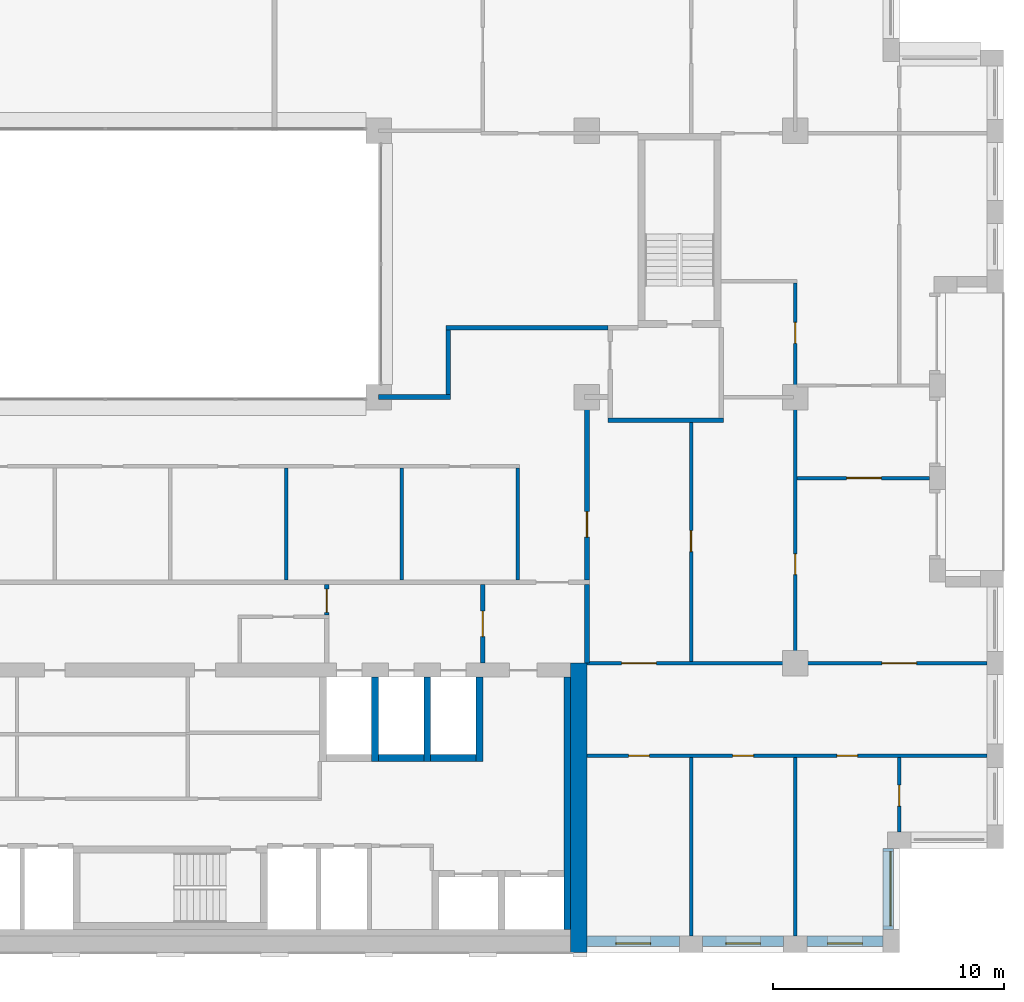
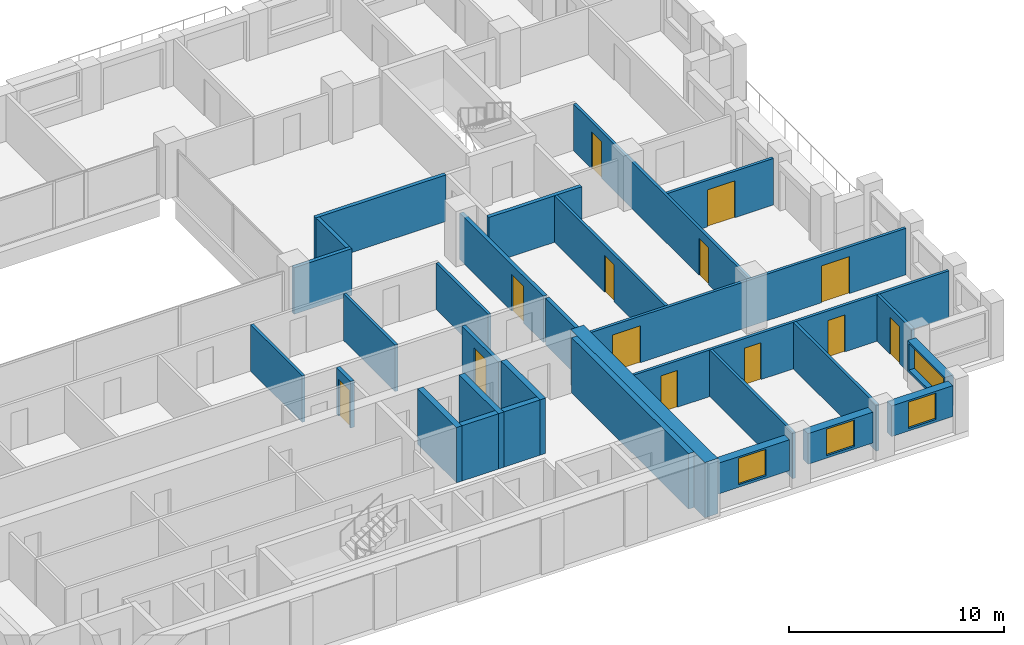
# One storey, part 11 of 16: 30 walls, 13 doors, 4 windows, 17 openings.
"""IFC4 building model written with IfcOpenShell, lengths in metres."""

from ifc_helpers import new_model, si_unit, direction, frame, frame_2d, origin, place, context, subcontext, project, spatial, rectangle, extrude, material, layer, layer_set, type_object, element, fill, save


model = new_model("IFC4")

# Units and contexts
model_context = context("Model", 3, precision=1e-05, world=origin(), true_north=direction((0.0, 1.0)))
body_context = subcontext(model_context, "Body", "Model", "MODEL_VIEW")
ifc_project = project(units=[si_unit("LENGTHUNIT", "METRE"), si_unit("AREAUNIT", "SQUARE_METRE"), si_unit("VOLUMEUNIT", "CUBIC_METRE"), si_unit("PLANEANGLEUNIT", "RADIAN"), si_unit("MASSUNIT", "GRAM", prefix="KILO")], contexts=[model_context])

# Site, building, storey
site_placement = place(None, origin())
site = spatial("IfcSite", under=ifc_project, at=site_placement, CompositionType="ELEMENT")
building_placement = place(site_placement, origin())
building = spatial("IfcBuilding", under=site, at=building_placement, Name="Brigalow Station Residences", CompositionType="ELEMENT")
storey_placement = place(building_placement, frame((0.0, 0.0, 182.25)))
storey = spatial("IfcBuildingStorey", under=building, at=storey_placement, Name="L53", CompositionType="ELEMENT", Elevation=182.25)

# Wall, opening, window
ifc_material_1 = material(Name="Clay brick masonry", Category="masonry")
ifc_layer_1 = layer(ifc_material_1, 0.449951171875)
ifc_layer_set_1 = layer_set([ifc_layer_1], Name="BRICK INFILL WALL 450")
wall_type_1 = type_object("IfcWallType", Name="BRICK INFILL WALL 450", PredefinedType="SOLIDWALL", material=ifc_layer_set_1)
wall_1_placement = place(storey_placement, frame((54.0, 0.47509765625, 0.89990234375), z_axis=(0.0, 0.0, 1.0), x_axis=(1.0, 0.0, 0.0)))
wall_1 = element("IfcWall", 1, at=wall_1_placement, inside=storey, type_object=wall_type_1, Name="L53/ewall/W-L53-4", PredefinedType="SOLIDWALL", context=body_context, shape_type="SweptSolid", body=[
    extrude(rectangle(XDim=4.0, YDim=0.449951171875, at=frame_2d((2.0, 0.0))), origin(), (0.0, 0.0, 1.0), 1.75),
])
opening_1_placement = place(wall_1_placement, frame((1.25, 0.0, 0.14990234375)))
opening_1 = element("IfcOpeningElement", 2, at=opening_1_placement, cuts=wall_1, Name="Opening WT-1", PredefinedType="OPENING", context=body_context, shape_type="SweptSolid", body=[
    extrude(rectangle(XDim=1.5, YDim=1.5, at=frame_2d((0.75, 0.75))), frame((0.0, 0.23486328125, 0.0), z_axis=(0.0, -1.0, 0.0), x_axis=(1.0, 0.0, 0.0)), (0.0, 0.0, 1.0), 0.469970703125),
])
ifc_material_2 = material(Name="Anodised aluminium frame with double glazing", Category="aluminium")
window_type_1 = type_object("IfcWindowType", Name="WINDOW 1500x1500", PartitioningType="SINGLE_PANEL", PredefinedType="WINDOW", material=ifc_material_2)
window_1_placement = place(opening_1_placement, origin())
window_1 = element("IfcWindow", 3, at=window_1_placement, inside=storey, type_object=window_type_1, Name="L53/window/W-L53-4", OverallHeight=1.5, OverallWidth=1.5, PartitioningType="SINGLE_PANEL", PredefinedType="WINDOW", context=body_context, shape_type="SweptSolid", body=[
    extrude(rectangle(XDim=1.5, YDim=1.5, at=frame_2d((0.75, 0.75))), frame((0.0, -0.06494140625, 0.0), z_axis=(0.0, -1.0, 0.0), x_axis=(1.0, 0.0, 0.0)), (0.0, 0.0, 1.0), 0.06005859375),
])
fill(opening_1, window_1)

wall_2_placement = place(storey_placement, frame((59.0, 0.47509765625, 0.89990234375), z_axis=(0.0, 0.0, 1.0), x_axis=(1.0, 0.0, 0.0)))
wall_2 = element("IfcWall", 4, at=wall_2_placement, inside=storey, type_object=wall_type_1, Name="L53/ewall/W-L53-5", PredefinedType="SOLIDWALL", context=body_context, shape_type="SweptSolid", body=[
    extrude(rectangle(XDim=3.5, YDim=0.449951171875, at=frame_2d((1.75, 0.0))), origin(), (0.0, 0.0, 1.0), 1.75),
])
opening_2_placement = place(wall_2_placement, frame((1.0, 0.0, 0.14990234375)))
opening_2 = element("IfcOpeningElement", 5, at=opening_2_placement, cuts=wall_2, Name="Opening WT-1", PredefinedType="OPENING", context=body_context, shape_type="SweptSolid", body=[
    extrude(rectangle(XDim=1.5, YDim=1.5, at=frame_2d((0.75, 0.75))), frame((0.0, 0.23486328125, 0.0), z_axis=(0.0, -1.0, 0.0), x_axis=(1.0, 0.0, 0.0)), (0.0, 0.0, 1.0), 0.469970703125),
])
window_2_placement = place(opening_2_placement, origin())
window_2 = element("IfcWindow", 6, at=window_2_placement, inside=storey, type_object=window_type_1, Name="L53/window/W-L53-5", OverallHeight=1.5, OverallWidth=1.5, PartitioningType="SINGLE_PANEL", PredefinedType="WINDOW", context=body_context, shape_type="SweptSolid", body=[
    extrude(rectangle(XDim=1.5, YDim=1.5, at=frame_2d((0.75, 0.75))), frame((0.0, -0.06494140625, 0.0), z_axis=(0.0, -1.0, 0.0), x_axis=(1.0, 0.0, 0.0)), (0.0, 0.0, 1.0), 0.06005859375),
])
fill(opening_2, window_2)

wall_3_placement = place(storey_placement, frame((63.5, 0.47509765625, 0.89990234375), z_axis=(0.0, 0.0, 1.0), x_axis=(1.0, 0.0, 0.0)))
wall_3 = element("IfcWall", 7, at=wall_3_placement, inside=storey, type_object=wall_type_1, Name="L53/ewall/W-L53-6", PredefinedType="SOLIDWALL", context=body_context, shape_type="SweptSolid", body=[
    extrude(rectangle(XDim=3.300048828125, YDim=0.449951171875, at=frame_2d((1.64990234375, 0.0))), origin(), (0.0, 0.0, 1.0), 1.75),
])
opening_3_placement = place(wall_3_placement, frame((0.89990234375, 0.0, 0.14990234375)))
opening_3 = element("IfcOpeningElement", 8, at=opening_3_placement, cuts=wall_3, Name="Opening WT-1", PredefinedType="OPENING", context=body_context, shape_type="SweptSolid", body=[
    extrude(rectangle(XDim=1.5, YDim=1.5, at=frame_2d((0.75, 0.75))), frame((0.0, 0.23486328125, 0.0), z_axis=(0.0, -1.0, 0.0), x_axis=(1.0, 0.0, 0.0)), (0.0, 0.0, 1.0), 0.469970703125),
])
window_3_placement = place(opening_3_placement, origin())
window_3 = element("IfcWindow", 9, at=window_3_placement, inside=storey, type_object=window_type_1, Name="L53/window/W-L53-6", OverallHeight=1.5, OverallWidth=1.5, PartitioningType="SINGLE_PANEL", PredefinedType="WINDOW", context=body_context, shape_type="SweptSolid", body=[
    extrude(rectangle(XDim=1.5, YDim=1.5, at=frame_2d((0.75, 0.75))), frame((0.0, -0.06494140625, 0.0), z_axis=(0.0, -1.0, 0.0), x_axis=(1.0, 0.0, 0.0)), (0.0, 0.0, 1.0), 0.06005859375),
])
fill(opening_3, window_3)

wall_4_placement = place(storey_placement, frame((67.02490234375, 1.0, 0.89990234375), z_axis=(0.0, 0.0, 1.0), x_axis=(0.0, 1.0, 0.0)))
wall_4 = element("IfcWall", 10, at=wall_4_placement, inside=storey, type_object=wall_type_1, Name="L53/ewall/W-L53-7", PredefinedType="SOLIDWALL", context=body_context, shape_type="SweptSolid", body=[
    extrude(rectangle(XDim=3.5, YDim=0.449951171875, at=frame_2d((1.75, 0.0))), origin(), (0.0, 0.0, 1.0), 1.75),
])
opening_4_placement = place(wall_4_placement, frame((0.14990234375, 0.0, 0.14990234375)))
opening_4 = element("IfcOpeningElement", 11, at=opening_4_placement, cuts=wall_4, Name="Opening WT-9", PredefinedType="OPENING", context=body_context, shape_type="SweptSolid", body=[
    extrude(rectangle(XDim=3.199951171875, YDim=1.5, at=frame_2d((1.60009765625, 0.75))), frame((0.0, 0.23486328125, 0.0), z_axis=(0.0, -1.0, 0.0), x_axis=(1.0, 0.0, 0.0)), (0.0, 0.0, 1.0), 0.469970703125),
])
ifc_material_3 = material(Name="Anodised aluminium frame with double glazing", Category="aluminium")
window_type_2 = type_object("IfcWindowType", Name="WINDOW 3200x1500", PartitioningType="SINGLE_PANEL", PredefinedType="WINDOW", material=ifc_material_3)
window_4_placement = place(opening_4_placement, origin())
window_4 = element("IfcWindow", 12, at=window_4_placement, inside=storey, type_object=window_type_2, Name="L53/window/W-L53-7", OverallHeight=1.5, OverallWidth=3.199951171875, PartitioningType="SINGLE_PANEL", PredefinedType="WINDOW", context=body_context, shape_type="SweptSolid", body=[
    extrude(rectangle(XDim=3.199951171875, YDim=1.5, at=frame_2d((1.60009765625, 0.75))), frame((0.0, -0.06494140625, 0.0), z_axis=(0.0, -1.0, 0.0), x_axis=(1.0, 0.0, 0.0)), (0.0, 0.0, 1.0), 0.06005859375),
])
fill(opening_4, window_4)

# Walls
ifc_material_4 = material(Name="Concrete C65", Category="concrete")
ifc_layer_2 = layer(ifc_material_4, 0.300048828125)
ifc_layer_set_2 = layer_set([ifc_layer_2], Name="CORE SHEAR WALL 300 C65")
wall_type_2 = type_object("IfcWallType", Name="CORE SHEAR WALL 300 C65", PredefinedType="SHEAR", material=ifc_layer_set_2)
wall_5_placement = place(storey_placement, frame((53.14990234375, 1.0, 0.0), z_axis=(0.0, 0.0, 1.0), x_axis=(0.0, 1.0, 0.0)))
element("IfcWall", 13, at=wall_5_placement, inside=storey, type_object=wall_type_2, Name="CORE WALL LIN-E L53", PredefinedType="SHEAR", context=body_context, shape_type="SweptSolid", body=[
    extrude(rectangle(XDim=10.89990234375, YDim=0.300048828125, at=frame_2d((5.449951171875, 0.0))), origin(), (0.0, 0.0, 1.0), 3.14990234375),
])
wall_6_placement = place(storey_placement, frame((45.0, 8.39990234375, 0.0), z_axis=(0.0, 0.0, 1.0), x_axis=(1.0, 0.0, 0.0)))
element("IfcWall", 14, at=wall_6_placement, inside=storey, type_object=wall_type_2, Name="CORE WALL SH-FF2-S L53", PredefinedType="SHEAR", context=body_context, shape_type="SweptSolid", body=[
    extrude(rectangle(XDim=1.949951171875, YDim=0.300048828125, at=frame_2d((0.97509765625, 0.0))), origin(), (0.0, 0.0, 1.0), 3.14990234375),
])
wall_7_placement = place(storey_placement, frame((44.85009765625, 8.25, 0.0), z_axis=(0.0, 0.0, 1.0), x_axis=(0.0, 1.0, 0.0)))
element("IfcWall", 15, at=wall_7_placement, inside=storey, type_object=wall_type_2, Name="CORE WALL SH-FF2-W L53", PredefinedType="SHEAR", context=body_context, shape_type="SweptSolid", body=[
    extrude(rectangle(XDim=3.64990234375, YDim=0.300048828125, at=frame_2d((1.824951171875, 0.0))), origin(), (0.0, 0.0, 1.0), 3.14990234375),
])
wall_8_placement = place(storey_placement, frame((47.25, 8.39990234375, 0.0), z_axis=(0.0, 0.0, 1.0), x_axis=(1.0, 0.0, 0.0)))
element("IfcWall", 16, at=wall_8_placement, inside=storey, type_object=wall_type_2, Name="CORE WALL SH-SL1-S L53", PredefinedType="SHEAR", context=body_context, shape_type="SweptSolid", body=[
    extrude(rectangle(XDim=1.949951171875, YDim=0.300048828125, at=frame_2d((0.97509765625, 0.0))), origin(), (0.0, 0.0, 1.0), 3.14990234375),
])
for number, where, z_axis, x_axis, name in (
    (17, (47.10009765625, 8.25, 0.0), (0.0, 0.0, 1.0), (0.0, 1.0, 0.0), "CORE WALL SH-SL1-W L53"),
    (18, (49.35009765625, 8.25, 0.0), (0.0, 0.0, 1.0), (0.0, 1.0, 0.0), "CORE WALL SH-SL1-E L53"),
):
    element("IfcWall", number, at=place(storey_placement, frame(where, z_axis=z_axis, x_axis=x_axis)), inside=storey, type_object=wall_type_2, Name=name, PredefinedType="SHEAR", context=body_context, shape_type="SweptSolid", body=[
        extrude(rectangle(XDim=3.64990234375, YDim=0.300048828125, at=frame_2d((1.824951171875, 0.0))), origin(), (0.0, 0.0, 1.0), 3.14990234375),
    ])
ifc_material_5 = material(Name="Concrete C65", Category="concrete")
ifc_layer_3 = layer(ifc_material_5, 0.699951171875)
ifc_layer_set_3 = layer_set([ifc_layer_3], Name="CORE SHEAR WALL 700 C65")
wall_type_3 = type_object("IfcWallType", Name="CORE SHEAR WALL 700 C65", PredefinedType="SHEAR", material=ifc_layer_set_3)
wall_9_placement = place(storey_placement, frame((53.64990234375, 0.0, 0.0), z_axis=(0.0, 0.0, 1.0), x_axis=(0.0, 1.0, 0.0)))
element("IfcWall", 19, at=wall_9_placement, inside=storey, type_object=wall_type_3, Name="CORE WALL OUT-E L53", PredefinedType="SHEAR", context=body_context, shape_type="SweptSolid", body=[
    extrude(rectangle(XDim=12.5, YDim=0.699951171875, at=frame_2d((6.25, 0.0))), origin(), (0.0, 0.0, 1.0), 3.14990234375),
])
ifc_material_6 = material(Name="Concrete blockwork", Category="masonry")
ifc_layer_4 = layer(ifc_material_6, 0.199951171875)
ifc_layer_set_4 = layer_set([ifc_layer_4], Name="FIRE RATED CORE PARTITION 200")
wall_type_4 = type_object("IfcWallType", Name="FIRE RATED CORE PARTITION 200", PredefinedType="PARTITIONING", material=ifc_layer_set_4)
wall_10_placement = place(storey_placement, frame((54.89990234375, 23.0, 0.0), z_axis=(0.0, 0.0, 1.0), x_axis=(1.0, 0.0, 0.0)))
element("IfcWall", 20, at=wall_10_placement, inside=storey, type_object=wall_type_4, Name="PW-5024", PredefinedType="PARTITIONING", context=body_context, shape_type="SweptSolid", body=[
    extrude(rectangle(XDim=5.0, YDim=0.199951171875, at=frame_2d((2.5, 0.0))), origin(), (0.0, 0.0, 1.0), 2.64990234375),
])

# Wall, opening, door
wall_11_placement = place(storey_placement, frame((49.5, 12.5, 0.0), z_axis=(0.0, 0.0, 1.0), x_axis=(0.0, 1.0, 0.0)))
wall_11 = element("IfcWall", 21, at=wall_11_placement, inside=storey, type_object=wall_type_4, Name="PW-5015", PredefinedType="PARTITIONING", context=body_context, shape_type="SweptSolid", body=[
    extrude(rectangle(XDim=3.39990234375, YDim=0.199951171875, at=frame_2d((1.699951171875, 0.0))), origin(), (0.0, 0.0, 1.0), 2.64990234375),
])
opening_5_placement = place(wall_11_placement, frame((1.14990234375, 0.0, 0.0)))
opening_5 = element("IfcOpeningElement", 22, at=opening_5_placement, cuts=wall_11, Name="Opening D-5014", PredefinedType="OPENING", context=body_context, shape_type="SweptSolid", body=[
    extrude(rectangle(XDim=1.10009765625, YDim=2.10009765625, at=frame_2d((0.550048828125, 1.050048828125))), frame((0.0, 0.10986328125, 0.0), z_axis=(0.0, -1.0, 0.0), x_axis=(1.0, 0.0, 0.0)), (0.0, 0.0, 1.0), 0.219970703125),
])
ifc_material_7 = material(Name="Steel fire door leaf in steel frame", Category="steel")
door_type_1 = type_object("IfcDoorType", Name="LOBBY DOOR 1100 x 2100 FD60S", OperationType="SINGLE_SWING_LEFT", PredefinedType="DOOR", material=ifc_material_7)
door_1_placement = place(opening_5_placement, origin())
door_1 = element("IfcDoor", 23, at=door_1_placement, inside=storey, type_object=door_type_1, Name="D-5014", OperationType="SINGLE_SWING_LEFT", OverallHeight=2.10009765625, OverallWidth=1.10009765625, PredefinedType="DOOR", context=body_context, shape_type="SweptSolid", body=[
    extrude(rectangle(XDim=1.10009765625, YDim=2.10009765625, at=frame_2d((0.550048828125, 1.050048828125))), frame((0.0, 0.02490234375, 0.0), z_axis=(0.0, -1.0, 0.0), x_axis=(1.0, 0.0, 0.0)), (0.0, 0.0, 1.0), 0.050048828125),
])
fill(opening_5, door_1)

# Wall
wall_12_placement = place(storey_placement, frame((54.0, 12.5, 0.0), z_axis=(0.0, 0.0, 1.0), x_axis=(0.0, 1.0, 0.0)))
element("IfcWall", 24, at=wall_12_placement, inside=storey, type_object=wall_type_4, Name="PW-5016", PredefinedType="PARTITIONING", context=body_context, shape_type="SweptSolid", body=[
    extrude(rectangle(XDim=3.39990234375, YDim=0.199951171875, at=frame_2d((1.699951171875, 0.0))), origin(), (0.0, 0.0, 1.0), 2.64990234375),
])

# Wall, opening, door
wall_13_placement = place(storey_placement, frame((42.75, 14.574951171875, 0.0), z_axis=(0.0, 0.0, 1.0), x_axis=(0.0, 1.0, 0.0)))
wall_13 = element("IfcWall", 25, at=wall_13_placement, inside=storey, type_object=wall_type_4, Name="PW-5047", PredefinedType="PARTITIONING", context=body_context, shape_type="SweptSolid", body=[
    extrude(rectangle(XDim=1.324951171875, YDim=0.199951171875, at=frame_2d((0.66259765625, 0.0))), origin(), (0.0, 0.0, 1.0), 2.64990234375),
])
opening_6_placement = place(wall_13_placement, frame((0.125, 0.0, 0.0)))
opening_6 = element("IfcOpeningElement", 26, at=opening_6_placement, cuts=wall_13, Name="Opening D-5013", PredefinedType="OPENING", context=body_context, shape_type="SweptSolid", body=[
    extrude(rectangle(XDim=1.0, YDim=2.10009765625, at=frame_2d((0.5, 1.050048828125))), frame((0.0, 0.10986328125, 0.0), z_axis=(0.0, -1.0, 0.0), x_axis=(1.0, 0.0, 0.0)), (0.0, 0.0, 1.0), 0.219970703125),
])
ifc_material_8 = material(Name="Steel fire door leaf in steel frame", Category="steel")
door_type_2 = type_object("IfcDoorType", Name="LOBBY DOOR 1000 x 2100 FD60S", OperationType="SINGLE_SWING_LEFT", PredefinedType="DOOR", material=ifc_material_8)
door_2_placement = place(opening_6_placement, origin())
door_2 = element("IfcDoor", 27, at=door_2_placement, inside=storey, type_object=door_type_2, Name="D-5013", OperationType="SINGLE_SWING_LEFT", OverallHeight=2.10009765625, OverallWidth=1.0, PredefinedType="DOOR", context=body_context, shape_type="SweptSolid", body=[
    extrude(rectangle(XDim=1.0, YDim=2.10009765625, at=frame_2d((0.5, 1.050048828125))), frame((0.0, 0.02490234375, 0.0), z_axis=(0.0, -1.0, 0.0), x_axis=(1.0, 0.0, 0.0)), (0.0, 0.0, 1.0), 0.050048828125),
])
fill(opening_6, door_2)

# Wall, openings, doors
ifc_material_9 = material(Name="Plasterboard on steel stud partition", Category="steel")
ifc_layer_5 = layer(ifc_material_9, 0.14990234375)
ifc_layer_set_5 = layer_set([ifc_layer_5], Name="FLAT PARTITION 150")
wall_type_5 = type_object("IfcWallType", Name="FLAT PARTITION 150", PredefinedType="PARTITIONING", material=ifc_layer_set_5)
wall_14_placement = place(storey_placement, frame((54.0, 8.5, 0.0), z_axis=(0.0, 0.0, 1.0), x_axis=(1.0, 0.0, 0.0)))
wall_14 = element("IfcWall", 28, at=wall_14_placement, inside=storey, type_object=wall_type_5, Name="PW-3F21", PredefinedType="PARTITIONING", context=body_context, shape_type="SweptSolid", body=[
    extrude(rectangle(XDim=17.300048828125, YDim=0.14990234375, at=frame_2d((8.64990234375, 0.0))), origin(), (0.0, 0.0, 1.0), 2.64990234375),
])
opening_7_placement = place(wall_14_placement, frame((1.800048828125, 0.0, 0.0)))
opening_7 = element("IfcOpeningElement", 29, at=opening_7_placement, cuts=wall_14, Name="Opening D-3F20", PredefinedType="OPENING", context=body_context, shape_type="SweptSolid", body=[
    extrude(rectangle(XDim=0.89990234375, YDim=2.10009765625, at=frame_2d((0.449951171875, 1.050048828125))), frame((0.0, 0.0849609375, 0.0), z_axis=(0.0, -1.0, 0.0), x_axis=(1.0, 0.0, 0.0)), (0.0, 0.0, 1.0), 0.169921875),
])
opening_8_placement = place(wall_14_placement, frame((6.300048828125, 0.0, 0.0)))
opening_8 = element("IfcOpeningElement", 30, at=opening_8_placement, cuts=wall_14, Name="Opening D-3F21", PredefinedType="OPENING", context=body_context, shape_type="SweptSolid", body=[
    extrude(rectangle(XDim=0.89990234375, YDim=2.10009765625, at=frame_2d((0.449951171875, 1.050048828125))), frame((0.0, 0.0849609375, 0.0), z_axis=(0.0, -1.0, 0.0), x_axis=(1.0, 0.0, 0.0)), (0.0, 0.0, 1.0), 0.169921875),
])
opening_9_placement = place(wall_14_placement, frame((10.800048828125, 0.0, 0.0)))
opening_9 = element("IfcOpeningElement", 31, at=opening_9_placement, cuts=wall_14, Name="Opening D-3F22", PredefinedType="OPENING", context=body_context, shape_type="SweptSolid", body=[
    extrude(rectangle(XDim=0.89990234375, YDim=2.10009765625, at=frame_2d((0.449951171875, 1.050048828125))), frame((0.0, 0.0849609375, 0.0), z_axis=(0.0, -1.0, 0.0), x_axis=(1.0, 0.0, 0.0)), (0.0, 0.0, 1.0), 0.169921875),
])
ifc_material_10 = material(Name="Solid-core timber door leaf", Category="wood")
door_type_3 = type_object("IfcDoorType", Name="INTERNAL DOOR 900 x 2100", OperationType="SINGLE_SWING_LEFT", PredefinedType="DOOR", material=ifc_material_10)
door_3_placement = place(opening_7_placement, frame((0.89990234375, 0.0, 0.0), z_axis=(0.0, 0.0, 1.0), x_axis=(-1.0, 0.0, 0.0)))
door_3 = element("IfcDoor", 32, at=door_3_placement, inside=storey, type_object=door_type_3, Name="D-3F20", OperationType="SINGLE_SWING_LEFT", OverallHeight=2.10009765625, OverallWidth=0.89990234375, PredefinedType="DOOR", context=body_context, shape_type="SweptSolid", body=[
    extrude(rectangle(XDim=0.89990234375, YDim=2.10009765625, at=frame_2d((0.449951171875, 1.050048828125))), frame((0.0, 0.02490234375, 0.0), z_axis=(0.0, -1.0, 0.0), x_axis=(1.0, 0.0, 0.0)), (0.0, 0.0, 1.0), 0.050048828125),
])
fill(opening_7, door_3)
door_4_placement = place(opening_8_placement, frame((0.89990234375, 0.0, 0.0), z_axis=(0.0, 0.0, 1.0), x_axis=(-1.0, 0.0, 0.0)))
door_4 = element("IfcDoor", 33, at=door_4_placement, inside=storey, type_object=door_type_3, Name="D-3F21", OperationType="SINGLE_SWING_RIGHT", OverallHeight=2.10009765625, OverallWidth=0.89990234375, PredefinedType="DOOR", context=body_context, shape_type="SweptSolid", body=[
    extrude(rectangle(XDim=0.89990234375, YDim=2.10009765625, at=frame_2d((0.449951171875, 1.050048828125))), frame((0.0, 0.02490234375, 0.0), z_axis=(0.0, -1.0, 0.0), x_axis=(1.0, 0.0, 0.0)), (0.0, 0.0, 1.0), 0.050048828125),
])
fill(opening_8, door_4)
door_5_placement = place(opening_9_placement, frame((0.89990234375, 0.0, 0.0), z_axis=(0.0, 0.0, 1.0), x_axis=(-1.0, 0.0, 0.0)))
door_5 = element("IfcDoor", 34, at=door_5_placement, inside=storey, type_object=door_type_3, Name="D-3F22", OperationType="SINGLE_SWING_LEFT", OverallHeight=2.10009765625, OverallWidth=0.89990234375, PredefinedType="DOOR", context=body_context, shape_type="SweptSolid", body=[
    extrude(rectangle(XDim=0.89990234375, YDim=2.10009765625, at=frame_2d((0.449951171875, 1.050048828125))), frame((0.0, 0.02490234375, 0.0), z_axis=(0.0, -1.0, 0.0), x_axis=(1.0, 0.0, 0.0)), (0.0, 0.0, 1.0), 0.050048828125),
])
fill(opening_9, door_5)

wall_15_placement = place(storey_placement, frame((54.0, 12.5, 0.0), z_axis=(0.0, 0.0, 1.0), x_axis=(1.0, 0.0, 0.0)))
wall_15 = element("IfcWall", 35, at=wall_15_placement, inside=storey, type_object=wall_type_5, Name="PW-3F23", PredefinedType="PARTITIONING", context=body_context, shape_type="SweptSolid", body=[
    extrude(rectangle(XDim=17.300048828125, YDim=0.14990234375, at=frame_2d((8.64990234375, 0.0))), origin(), (0.0, 0.0, 1.0), 2.64990234375),
])
opening_10_placement = place(wall_15_placement, frame((1.5, 0.0, 0.0)))
opening_10 = element("IfcOpeningElement", 36, at=opening_10_placement, cuts=wall_15, Name="Opening D-3F18", PredefinedType="OPENING", context=body_context, shape_type="SweptSolid", body=[
    extrude(rectangle(XDim=1.5, YDim=2.10009765625, at=frame_2d((0.75, 1.050048828125))), frame((0.0, 0.0849609375, 0.0), z_axis=(0.0, -1.0, 0.0), x_axis=(1.0, 0.0, 0.0)), (0.0, 0.0, 1.0), 0.169921875),
])
opening_11_placement = place(wall_15_placement, frame((12.75, 0.0, 0.0)))
opening_11 = element("IfcOpeningElement", 37, at=opening_11_placement, cuts=wall_15, Name="Opening D-3F24", PredefinedType="OPENING", context=body_context, shape_type="SweptSolid", body=[
    extrude(rectangle(XDim=1.5, YDim=2.10009765625, at=frame_2d((0.75, 1.050048828125))), frame((0.0, 0.0849609375, 0.0), z_axis=(0.0, -1.0, 0.0), x_axis=(1.0, 0.0, 0.0)), (0.0, 0.0, 1.0), 0.169921875),
])
ifc_material_11 = material(Name="Solid-core timber door leaf", Category="wood")
door_type_4 = type_object("IfcDoorType", Name="INTERNAL DOUBLE DOOR 1500 x 2100", OperationType="DOUBLE_DOOR_SINGLE_SWING", PredefinedType="DOOR", material=ifc_material_11)
door_6_placement = place(opening_10_placement, origin())
door_6 = element("IfcDoor", 38, at=door_6_placement, inside=storey, type_object=door_type_4, Name="D-3F18", OperationType="DOUBLE_DOOR_SINGLE_SWING", OverallHeight=2.10009765625, OverallWidth=1.5, PredefinedType="DOOR", context=body_context, shape_type="SweptSolid", body=[
    extrude(rectangle(XDim=1.5, YDim=2.10009765625, at=frame_2d((0.75, 1.050048828125))), frame((0.0, 0.02490234375, 0.0), z_axis=(0.0, -1.0, 0.0), x_axis=(1.0, 0.0, 0.0)), (0.0, 0.0, 1.0), 0.050048828125),
])
fill(opening_10, door_6)
door_7_placement = place(opening_11_placement, origin())
door_7 = element("IfcDoor", 39, at=door_7_placement, inside=storey, type_object=door_type_4, Name="D-3F24", OperationType="DOUBLE_DOOR_SINGLE_SWING", OverallHeight=2.10009765625, OverallWidth=1.5, PredefinedType="DOOR", context=body_context, shape_type="SweptSolid", body=[
    extrude(rectangle(XDim=1.5, YDim=2.10009765625, at=frame_2d((0.75, 1.050048828125))), frame((0.0, 0.02490234375, 0.0), z_axis=(0.0, -1.0, 0.0), x_axis=(1.0, 0.0, 0.0)), (0.0, 0.0, 1.0), 0.050048828125),
])
fill(opening_11, door_7)

# Wall, opening, door
wall_16_placement = place(storey_placement, frame((63.074951171875, 20.5, 0.0), z_axis=(0.0, 0.0, 1.0), x_axis=(1.0, 0.0, 0.0)))
wall_16 = element("IfcWall", 40, at=wall_16_placement, inside=storey, type_object=wall_type_5, Name="PW-3F24", PredefinedType="PARTITIONING", context=body_context, shape_type="SweptSolid", body=[
    extrude(rectangle(XDim=5.72509765625, YDim=0.14990234375, at=frame_2d((2.862548828125, 0.0))), origin(), (0.0, 0.0, 1.0), 2.64990234375),
])
opening_12_placement = place(wall_16_placement, frame((2.14990234375, 0.0, 0.0)))
opening_12 = element("IfcOpeningElement", 41, at=opening_12_placement, cuts=wall_16, Name="Opening D-3F26", PredefinedType="OPENING", context=body_context, shape_type="SweptSolid", body=[
    extrude(rectangle(XDim=1.5, YDim=2.10009765625, at=frame_2d((0.75, 1.050048828125))), frame((0.0, 0.0849609375, 0.0), z_axis=(0.0, -1.0, 0.0), x_axis=(1.0, 0.0, 0.0)), (0.0, 0.0, 1.0), 0.169921875),
])
door_8_placement = place(opening_12_placement, origin())
door_8 = element("IfcDoor", 42, at=door_8_placement, inside=storey, type_object=door_type_4, Name="D-3F26", OperationType="DOUBLE_DOOR_SINGLE_SWING", OverallHeight=2.10009765625, OverallWidth=1.5, PredefinedType="DOOR", context=body_context, shape_type="SweptSolid", body=[
    extrude(rectangle(XDim=1.5, YDim=2.10009765625, at=frame_2d((0.75, 1.050048828125))), frame((0.0, 0.02490234375, 0.0), z_axis=(0.0, -1.0, 0.0), x_axis=(1.0, 0.0, 0.0)), (0.0, 0.0, 1.0), 0.050048828125),
])
fill(opening_12, door_8)

# Walls
wall_17_placement = place(storey_placement, frame((51.0, 16.10009765625, 0.0), z_axis=(0.0, 0.0, 1.0), x_axis=(0.0, 1.0, 0.0)))
element("IfcWall", 43, at=wall_17_placement, inside=storey, type_object=wall_type_5, Name="PW-3F32", PredefinedType="PARTITIONING", context=body_context, shape_type="SweptSolid", body=[
    extrude(rectangle(XDim=4.824951171875, YDim=0.14990234375, at=frame_2d((2.41259765625, 0.0))), origin(), (0.0, 0.0, 1.0), 2.64990234375),
])
wall_18_placement = place(storey_placement, frame((58.5, 0.699951171875, 0.0), z_axis=(0.0, 0.0, 1.0), x_axis=(0.0, 1.0, 0.0)))
element("IfcWall", 44, at=wall_18_placement, inside=storey, type_object=wall_type_5, Name="PW-3F43", PredefinedType="PARTITIONING", context=body_context, shape_type="SweptSolid", body=[
    extrude(rectangle(XDim=7.72509765625, YDim=0.14990234375, at=frame_2d((3.862548828125, 0.0))), origin(), (0.0, 0.0, 1.0), 2.64990234375),
])

# Wall, opening, door
wall_19_placement = place(storey_placement, frame((58.5, 12.574951171875, 0.0), z_axis=(0.0, 0.0, 1.0), x_axis=(0.0, 1.0, 0.0)))
wall_19 = element("IfcWall", 45, at=wall_19_placement, inside=storey, type_object=wall_type_5, Name="PW-3F44", PredefinedType="PARTITIONING", context=body_context, shape_type="SweptSolid", body=[
    extrude(rectangle(XDim=10.324951171875, YDim=0.14990234375, at=frame_2d((5.16259765625, 0.0))), origin(), (0.0, 0.0, 1.0), 2.64990234375),
])
opening_13_placement = place(wall_19_placement, frame((4.75, 0.0, 0.0)))
opening_13 = element("IfcOpeningElement", 46, at=opening_13_placement, cuts=wall_19, Name="Opening D-3F19", PredefinedType="OPENING", context=body_context, shape_type="SweptSolid", body=[
    extrude(rectangle(XDim=0.89990234375, YDim=2.10009765625, at=frame_2d((0.449951171875, 1.050048828125))), frame((0.0, 0.0849609375, 0.0), z_axis=(0.0, -1.0, 0.0), x_axis=(1.0, 0.0, 0.0)), (0.0, 0.0, 1.0), 0.169921875),
])
door_9_placement = place(opening_13_placement, origin())
door_9 = element("IfcDoor", 47, at=door_9_placement, inside=storey, type_object=door_type_3, Name="D-3F19", OperationType="SINGLE_SWING_RIGHT", OverallHeight=2.10009765625, OverallWidth=0.89990234375, PredefinedType="DOOR", context=body_context, shape_type="SweptSolid", body=[
    extrude(rectangle(XDim=0.89990234375, YDim=2.10009765625, at=frame_2d((0.449951171875, 1.050048828125))), frame((0.0, 0.02490234375, 0.0), z_axis=(0.0, -1.0, 0.0), x_axis=(1.0, 0.0, 0.0)), (0.0, 0.0, 1.0), 0.050048828125),
])
fill(opening_13, door_9)

# Wall
wall_20_placement = place(storey_placement, frame((63.0, 0.699951171875, 0.0), z_axis=(0.0, 0.0, 1.0), x_axis=(0.0, 1.0, 0.0)))
element("IfcWall", 48, at=wall_20_placement, inside=storey, type_object=wall_type_5, Name="PW-3F46", PredefinedType="PARTITIONING", context=body_context, shape_type="SweptSolid", body=[
    extrude(rectangle(XDim=7.72509765625, YDim=0.14990234375, at=frame_2d((3.862548828125, 0.0))), origin(), (0.0, 0.0, 1.0), 2.64990234375),
])

# Wall, openings, doors
wall_21_placement = place(storey_placement, frame((63.0, 12.574951171875, 0.0), z_axis=(0.0, 0.0, 1.0), x_axis=(0.0, 1.0, 0.0)))
wall_21 = element("IfcWall", 49, at=wall_21_placement, inside=storey, type_object=wall_type_5, Name="PW-3F47", PredefinedType="PARTITIONING", context=body_context, shape_type="SweptSolid", body=[
    extrude(rectangle(XDim=16.35009765625, YDim=0.14990234375, at=frame_2d((8.175048828125, 0.0))), origin(), (0.0, 0.0, 1.0), 2.64990234375),
])
opening_14_placement = place(wall_21_placement, frame((3.75, 0.0, 0.0)))
opening_14 = element("IfcOpeningElement", 50, at=opening_14_placement, cuts=wall_21, Name="Opening D-3F25", PredefinedType="OPENING", context=body_context, shape_type="SweptSolid", body=[
    extrude(rectangle(XDim=0.89990234375, YDim=2.10009765625, at=frame_2d((0.449951171875, 1.050048828125))), frame((0.0, 0.0849609375, 0.0), z_axis=(0.0, -1.0, 0.0), x_axis=(1.0, 0.0, 0.0)), (0.0, 0.0, 1.0), 0.169921875),
])
opening_15_placement = place(wall_21_placement, frame((13.75, 0.0, 0.0)))
opening_15 = element("IfcOpeningElement", 51, at=opening_15_placement, cuts=wall_21, Name="Opening D-3F28", PredefinedType="OPENING", context=body_context, shape_type="SweptSolid", body=[
    extrude(rectangle(XDim=0.89990234375, YDim=2.10009765625, at=frame_2d((0.449951171875, 1.050048828125))), frame((0.0, 0.0849609375, 0.0), z_axis=(0.0, -1.0, 0.0), x_axis=(1.0, 0.0, 0.0)), (0.0, 0.0, 1.0), 0.169921875),
])
door_10_placement = place(opening_14_placement, origin())
door_10 = element("IfcDoor", 52, at=door_10_placement, inside=storey, type_object=door_type_3, Name="D-3F25", OperationType="SINGLE_SWING_LEFT", OverallHeight=2.10009765625, OverallWidth=0.89990234375, PredefinedType="DOOR", context=body_context, shape_type="SweptSolid", body=[
    extrude(rectangle(XDim=0.89990234375, YDim=2.10009765625, at=frame_2d((0.449951171875, 1.050048828125))), frame((0.0, 0.02490234375, 0.0), z_axis=(0.0, -1.0, 0.0), x_axis=(1.0, 0.0, 0.0)), (0.0, 0.0, 1.0), 0.050048828125),
])
fill(opening_14, door_10)
door_11_placement = place(opening_15_placement, origin())
door_11 = element("IfcDoor", 53, at=door_11_placement, inside=storey, type_object=door_type_3, Name="D-3F28", OperationType="SINGLE_SWING_RIGHT", OverallHeight=2.10009765625, OverallWidth=0.89990234375, PredefinedType="DOOR", context=body_context, shape_type="SweptSolid", body=[
    extrude(rectangle(XDim=0.89990234375, YDim=2.10009765625, at=frame_2d((0.449951171875, 1.050048828125))), frame((0.0, 0.02490234375, 0.0), z_axis=(0.0, -1.0, 0.0), x_axis=(1.0, 0.0, 0.0)), (0.0, 0.0, 1.0), 0.050048828125),
])
fill(opening_15, door_11)

# Wall, opening, door
wall_22_placement = place(storey_placement, frame((67.5, 5.199951171875, 0.0), z_axis=(0.0, 0.0, 1.0), x_axis=(0.0, 1.0, 0.0)))
wall_22 = element("IfcWall", 54, at=wall_22_placement, inside=storey, type_object=wall_type_5, Name="PW-3F49", PredefinedType="PARTITIONING", context=body_context, shape_type="SweptSolid", body=[
    extrude(rectangle(XDim=3.22509765625, YDim=0.14990234375, at=frame_2d((1.612548828125, 0.0))), origin(), (0.0, 0.0, 1.0), 2.64990234375),
])
opening_16_placement = place(wall_22_placement, frame((1.125, 0.0, 0.0)))
opening_16 = element("IfcOpeningElement", 55, at=opening_16_placement, cuts=wall_22, Name="Opening D-3F23", PredefinedType="OPENING", context=body_context, shape_type="SweptSolid", body=[
    extrude(rectangle(XDim=0.89990234375, YDim=2.10009765625, at=frame_2d((0.449951171875, 1.050048828125))), frame((0.0, 0.0849609375, 0.0), z_axis=(0.0, -1.0, 0.0), x_axis=(1.0, 0.0, 0.0)), (0.0, 0.0, 1.0), 0.169921875),
])
door_12_placement = place(opening_16_placement, frame((0.89990234375, 0.0, 0.0), z_axis=(0.0, 0.0, 1.0), x_axis=(-1.0, 0.0, 0.0)))
door_12 = element("IfcDoor", 56, at=door_12_placement, inside=storey, type_object=door_type_3, Name="D-3F23", OperationType="SINGLE_SWING_RIGHT", OverallHeight=2.10009765625, OverallWidth=0.89990234375, PredefinedType="DOOR", context=body_context, shape_type="SweptSolid", body=[
    extrude(rectangle(XDim=0.89990234375, YDim=2.10009765625, at=frame_2d((0.449951171875, 1.050048828125))), frame((0.0, 0.02490234375, 0.0), z_axis=(0.0, -1.0, 0.0), x_axis=(1.0, 0.0, 0.0)), (0.0, 0.0, 1.0), 0.050048828125),
])
fill(opening_16, door_12)

# Walls
for number, where, z_axis, x_axis, name in (
    (57, (41.0, 16.10009765625, 0.0), (0.0, 0.0, 1.0), (0.0, 1.0, 0.0), "PW-3F58"),
    (58, (46.0, 16.10009765625, 0.0), (0.0, 0.0, 1.0), (0.0, 1.0, 0.0), "PW-3F59"),
):
    element("IfcWall", number, at=place(storey_placement, frame(where, z_axis=z_axis, x_axis=x_axis)), inside=storey, type_object=wall_type_5, Name=name, PredefinedType="PARTITIONING", context=body_context, shape_type="SweptSolid", body=[
        extrude(rectangle(XDim=4.824951171875, YDim=0.14990234375, at=frame_2d((2.41259765625, 0.0))), origin(), (0.0, 0.0, 1.0), 2.64990234375),
    ])
ifc_material_12 = material(Name="Plasterboard on steel stud partition", Category="steel")
ifc_layer_6 = layer(ifc_material_12, 0.199951171875)
ifc_layer_set_6 = layer_set([ifc_layer_6], Name="PARTY AND CORRIDOR WALL 200")
wall_type_6 = type_object("IfcWallType", Name="PARTY AND CORRIDOR WALL 200", PredefinedType="PARTITIONING", material=ifc_layer_set_6)
wall_23_placement = place(storey_placement, frame((45.0, 24.0, 0.0), z_axis=(0.0, 0.0, 1.0), x_axis=(1.0, 0.0, 0.0)))
element("IfcWall", 59, at=wall_23_placement, inside=storey, type_object=wall_type_6, Name="PW-3F04", PredefinedType="PARTITIONING", context=body_context, shape_type="SweptSolid", body=[
    extrude(rectangle(XDim=3.10009765625, YDim=0.199951171875, at=frame_2d((1.550048828125, 0.0))), origin(), (0.0, 0.0, 1.0), 2.64990234375),
])
wall_24_placement = place(storey_placement, frame((47.89990234375, 27.0, 0.0), z_axis=(0.0, 0.0, 1.0), x_axis=(1.0, 0.0, 0.0)))
element("IfcWall", 60, at=wall_24_placement, inside=storey, type_object=wall_type_6, Name="PW-3F08", PredefinedType="PARTITIONING", context=body_context, shape_type="SweptSolid", body=[
    extrude(rectangle(XDim=7.0, YDim=0.199951171875, at=frame_2d((3.5, 0.0))), origin(), (0.0, 0.0, 1.0), 2.64990234375),
])

# Wall, opening, door
wall_25_placement = place(storey_placement, frame((54.0, 16.10009765625, 0.0), z_axis=(0.0, 0.0, 1.0), x_axis=(0.0, 1.0, 0.0)))
wall_25 = element("IfcWall", 61, at=wall_25_placement, inside=storey, type_object=wall_type_6, Name="PW-3F30", PredefinedType="PARTITIONING", context=body_context, shape_type="SweptSolid", body=[
    extrude(rectangle(XDim=7.7998046875, YDim=0.199951171875, at=frame_2d((3.89990234375, 0.0))), origin(), (0.0, 0.0, 1.0), 2.64990234375),
])
opening_17_placement = place(wall_25_placement, frame((1.85009765625, 0.0, 0.0)))
opening_17 = element("IfcOpeningElement", 62, at=opening_17_placement, cuts=wall_25, Name="Opening D-3F17", PredefinedType="OPENING", context=body_context, shape_type="SweptSolid", body=[
    extrude(rectangle(XDim=1.10009765625, YDim=2.10009765625, at=frame_2d((0.550048828125, 1.050048828125))), frame((0.0, 0.10986328125, 0.0), z_axis=(0.0, -1.0, 0.0), x_axis=(1.0, 0.0, 0.0)), (0.0, 0.0, 1.0), 0.219970703125),
])
ifc_material_13 = material(Name="Solid-core timber door leaf", Category="wood")
door_type_5 = type_object("IfcDoorType", Name="FLAT ENTRANCE DOOR 1100 x 2100 FRL -/60/30", OperationType="SINGLE_SWING_LEFT", PredefinedType="DOOR", material=ifc_material_13)
door_13_placement = place(opening_17_placement, frame((1.10009765625, 0.0, 0.0), z_axis=(0.0, 0.0, 1.0), x_axis=(-1.0, 0.0, 0.0)))
door_13 = element("IfcDoor", 63, at=door_13_placement, inside=storey, type_object=door_type_5, Name="D-3F17", OperationType="SINGLE_SWING_LEFT", OverallHeight=2.10009765625, OverallWidth=1.10009765625, PredefinedType="DOOR", context=body_context, shape_type="SweptSolid", body=[
    extrude(rectangle(XDim=1.10009765625, YDim=2.10009765625, at=frame_2d((0.550048828125, 1.050048828125))), frame((0.0, 0.02490234375, 0.0), z_axis=(0.0, -1.0, 0.0), x_axis=(1.0, 0.0, 0.0)), (0.0, 0.0, 1.0), 0.050048828125),
])
fill(opening_17, door_13)

# Wall
wall_26_placement = place(storey_placement, frame((48.0, 24.10009765625, 0.0), z_axis=(0.0, 0.0, 1.0), x_axis=(0.0, 1.0, 0.0)))
element("IfcWall", 64, at=wall_26_placement, inside=storey, type_object=wall_type_6, Name="PW-3F35", PredefinedType="PARTITIONING", context=body_context, shape_type="SweptSolid", body=[
    extrude(rectangle(XDim=2.7998046875, YDim=0.199951171875, at=frame_2d((1.39990234375, 0.0))), origin(), (0.0, 0.0, 1.0), 2.64990234375),
])

save(model, "model.ifc")
